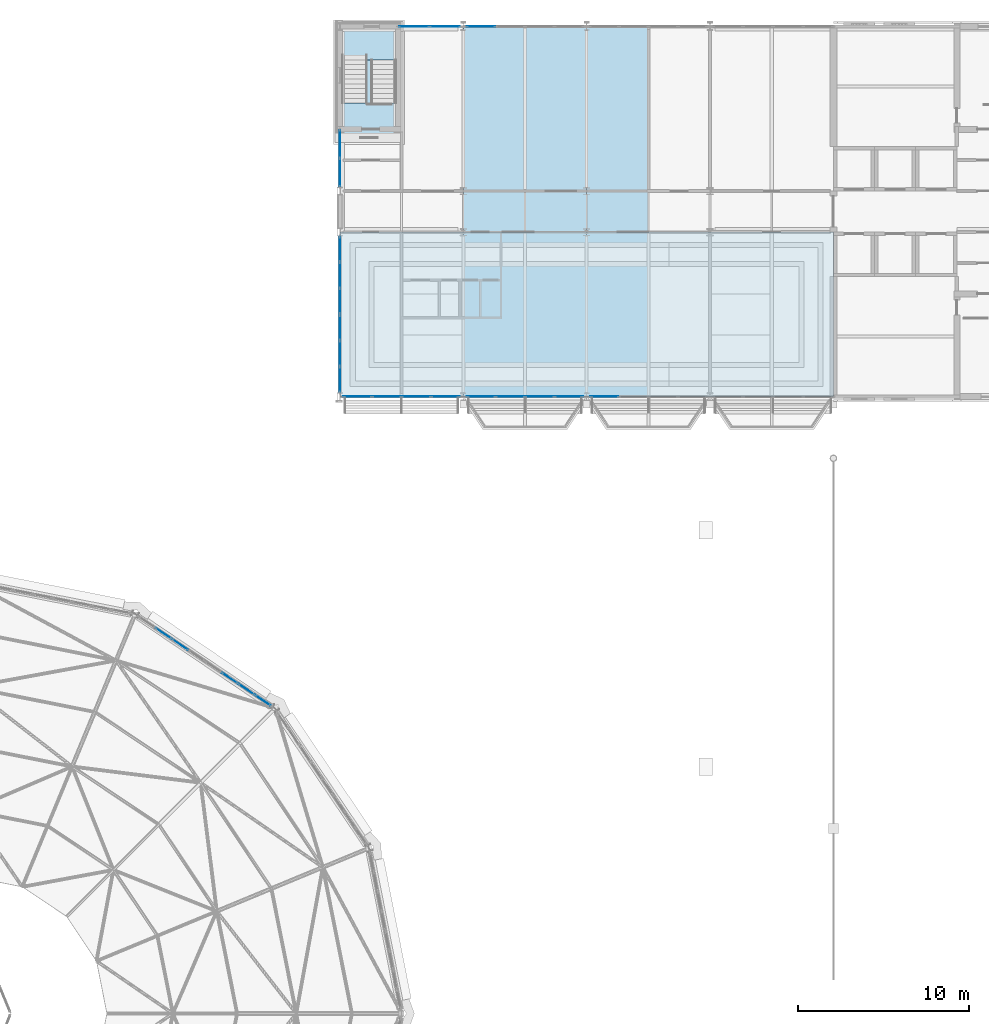
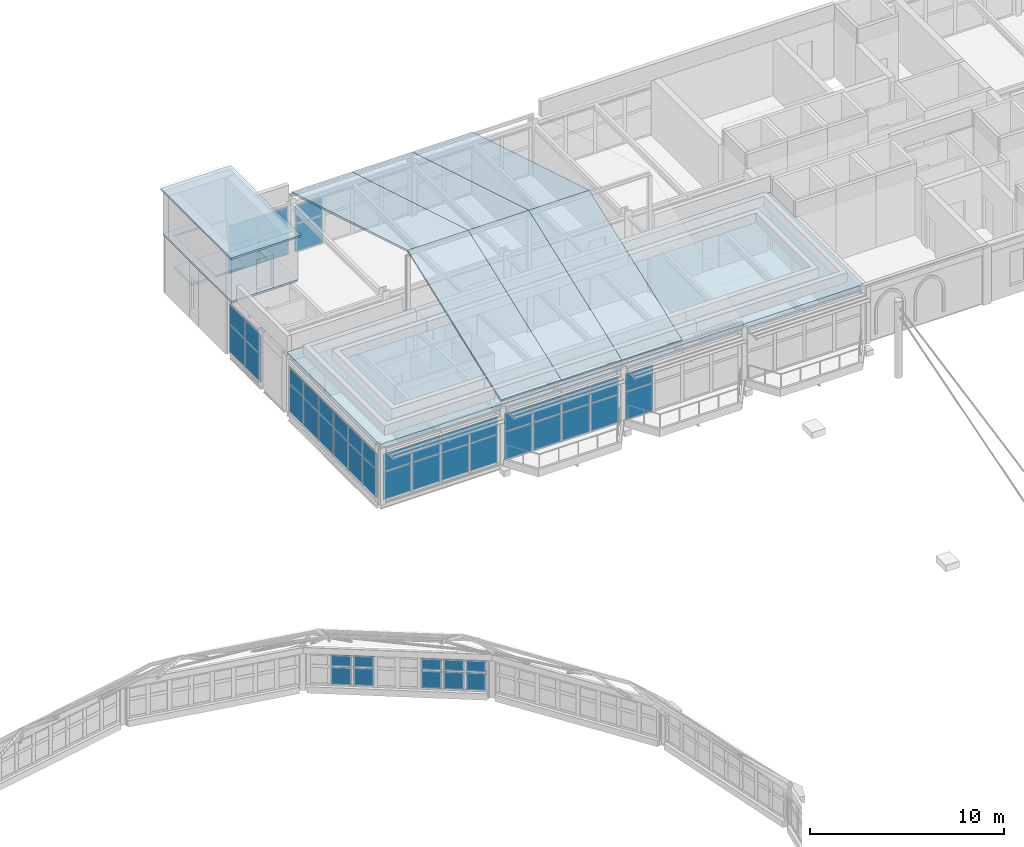
# One storey, part 44 of 68: 50 plates, 10 slabs, 10 elements without a shape of their own.
"""IFC4 building model written with IfcOpenShell, lengths in metres."""

from ifc_helpers import new_model, si_unit, direction, frame, origin, origin_2d, place, context, subcontext, project, spatial, polyline, rectangle, outline, extrude, material, layer, layer_set, type_object, element, aggregate, save


model = new_model("IFC4")

# Units and contexts
model_context = context("Model", 3, precision=1e-05, world=origin(), true_north=direction((0.0, 1.0)))
body_context = subcontext(model_context, "Body", "Model", "MODEL_VIEW")
ifc_project = project(units=[si_unit("LENGTHUNIT", "METRE"), si_unit("AREAUNIT", "SQUARE_METRE"), si_unit("VOLUMEUNIT", "CUBIC_METRE"), si_unit("PLANEANGLEUNIT", "RADIAN"), si_unit("MASSUNIT", "GRAM", prefix="KILO")], contexts=[model_context])

# Site, building, storey
site_placement = place(None, origin())
site = spatial("IfcSite", under=ifc_project, at=site_placement, CompositionType="ELEMENT")
building_placement = place(site_placement, origin())
building = spatial("IfcBuilding", under=site, at=building_placement, Name="Kupolbacken Congress Centre", CompositionType="ELEMENT")
storey_placement = place(building_placement, frame((0.0, 0.0, 25.199951171875)))
storey = spatial("IfcBuildingStorey", under=building, at=storey_placement, Name="L07", CompositionType="ELEMENT", Elevation=25.199951171875)

# Curtain wall, plates
ifc_material_1 = material(Name="Aluminium mullion-transom frame with glass", Category="aluminium")
curtain_wall_type_1 = type_object("IfcCurtainWallType", Name="CW3 curtain wall 9830x3600", PredefinedType="NOTDEFINED", material=ifc_material_1)
curtain_wall_1_placement = place(storey_placement, origin())
curtain_wall_1 = element("IfcCurtainWall", 1, at=curtain_wall_1_placement, inside=storey, type_object=curtain_wall_type_1, Name="E/P/drum/cw/L07/10", PredefinedType="NOTDEFINED")
ifc_material_2 = material(Name="Glass", Category="glass")
ifc_layer_1 = layer(ifc_material_2, 0.028076171875)
ifc_layer_set_1 = layer_set([ifc_layer_1], Name="Glass")
plate_type_1 = type_object("IfcPlateType", Name="GL1 glass panel 28", PredefinedType="CURTAIN_PANEL", material=ifc_layer_set_1)
plate_1_placement = place(storey_placement, frame((60.296875, 104.674560546875, 0.4599609375), z_axis=(0.0, 0.0, 1.0), x_axis=(-0.82890762338, 0.559385512775, 0.0)))
plate_1 = element("IfcPlate", 2, at=plate_1_placement, type_object=plate_type_1, Name="CW3 panel 1.1", PredefinedType="CURTAIN_PANEL", context=body_context, shape_type="SweptSolid", body=[
    extrude(rectangle(XDim=1.076416015625, YDim=0.028076171875, at=origin_2d()), origin(), (0.0, 0.0, 1.0), 1.110107421875),
])
plate_2_placement = place(storey_placement, frame((60.296875, 104.674560546875, 1.6298828125), z_axis=(0.0, 0.0, 1.0), x_axis=(-0.82890762338, 0.559385512775, 0.0)))
plate_2 = element("IfcPlate", 3, at=plate_2_placement, type_object=plate_type_1, Name="CW3 panel 1.2", PredefinedType="CURTAIN_PANEL", context=body_context, shape_type="SweptSolid", body=[
    extrude(rectangle(XDim=1.076416015625, YDim=0.028076171875, at=origin_2d()), origin(), (0.0, 0.0, 1.0), 0.699951171875),
])
plate_3_placement = place(storey_placement, frame((59.34228515625, 105.318603515625, 0.4599609375), z_axis=(0.0, 0.0, 1.0), x_axis=(-0.82890762338, 0.559385512775, 0.0)))
plate_3 = element("IfcPlate", 4, at=plate_3_placement, type_object=plate_type_1, Name="CW3 panel 2.1", PredefinedType="CURTAIN_PANEL", context=body_context, shape_type="SweptSolid", body=[
    extrude(rectangle(XDim=1.1064453125, YDim=0.028076171875, at=origin_2d()), origin(), (0.0, 0.0, 1.0), 1.110107421875),
])
plate_4_placement = place(storey_placement, frame((59.34228515625, 105.318603515625, 1.6298828125), z_axis=(0.0, 0.0, 1.0), x_axis=(-0.82890762338, 0.559385512775, 0.0)))
plate_4 = element("IfcPlate", 5, at=plate_4_placement, type_object=plate_type_1, Name="CW3 panel 2.2", PredefinedType="CURTAIN_PANEL", context=body_context, shape_type="SweptSolid", body=[
    extrude(rectangle(XDim=1.1064453125, YDim=0.028076171875, at=origin_2d()), origin(), (0.0, 0.0, 1.0), 0.699951171875),
])
plate_5_placement = place(storey_placement, frame((58.37548828125, 105.97119140625, 0.4599609375), z_axis=(0.0, 0.0, 1.0), x_axis=(-0.82890762338, 0.559385512775, 0.0)))
plate_5 = element("IfcPlate", 6, at=plate_5_placement, type_object=plate_type_1, Name="CW3 panel 3.1", PredefinedType="CURTAIN_PANEL", context=body_context, shape_type="SweptSolid", body=[
    extrude(rectangle(XDim=1.1064453125, YDim=0.028076171875, at=origin_2d()), origin(), (0.0, 0.0, 1.0), 1.110107421875),
])
plate_6_placement = place(storey_placement, frame((58.37548828125, 105.97119140625, 1.6298828125), z_axis=(0.0, 0.0, 1.0), x_axis=(-0.82890762338, 0.559385512775, 0.0)))
plate_6 = element("IfcPlate", 7, at=plate_6_placement, type_object=plate_type_1, Name="CW3 panel 3.2", PredefinedType="CURTAIN_PANEL", context=body_context, shape_type="SweptSolid", body=[
    extrude(rectangle(XDim=1.1064453125, YDim=0.028076171875, at=origin_2d()), origin(), (0.0, 0.0, 1.0), 0.699951171875),
])
plate_7_placement = place(storey_placement, frame((55.474609375, 107.9287109375, 0.4599609375), z_axis=(0.0, 0.0, 1.0), x_axis=(-0.82890762338, 0.559385512775, 0.0)))
plate_7 = element("IfcPlate", 8, at=plate_7_placement, type_object=plate_type_1, Name="CW3 panel 6.1", PredefinedType="CURTAIN_PANEL", context=body_context, shape_type="SweptSolid", body=[
    extrude(rectangle(XDim=1.1064453125, YDim=0.028076171875, at=origin_2d()), origin(), (0.0, 0.0, 1.0), 1.110107421875),
])
plate_8_placement = place(storey_placement, frame((55.474609375, 107.9287109375, 1.6298828125), z_axis=(0.0, 0.0, 1.0), x_axis=(-0.82890762338, 0.559385512775, 0.0)))
plate_8 = element("IfcPlate", 9, at=plate_8_placement, type_object=plate_type_1, Name="CW3 panel 6.2", PredefinedType="CURTAIN_PANEL", context=body_context, shape_type="SweptSolid", body=[
    extrude(rectangle(XDim=1.1064453125, YDim=0.028076171875, at=origin_2d()), origin(), (0.0, 0.0, 1.0), 0.699951171875),
])
plate_9_placement = place(storey_placement, frame((54.507568359375, 108.581298828125, 0.4599609375), z_axis=(0.0, 0.0, 1.0), x_axis=(-0.82890762338, 0.559385512775, 0.0)))
plate_9 = element("IfcPlate", 10, at=plate_9_placement, type_object=plate_type_1, Name="CW3 panel 7.1", PredefinedType="CURTAIN_PANEL", context=body_context, shape_type="SweptSolid", body=[
    extrude(rectangle(XDim=1.1064453125, YDim=0.028076171875, at=origin_2d()), origin(), (0.0, 0.0, 1.0), 1.110107421875),
])
plate_10_placement = place(storey_placement, frame((54.507568359375, 108.581298828125, 1.6298828125), z_axis=(0.0, 0.0, 1.0), x_axis=(-0.82890762338, 0.559385512775, 0.0)))
plate_10 = element("IfcPlate", 11, at=plate_10_placement, type_object=plate_type_1, Name="CW3 panel 7.2", PredefinedType="CURTAIN_PANEL", context=body_context, shape_type="SweptSolid", body=[
    extrude(rectangle(XDim=1.1064453125, YDim=0.028076171875, at=origin_2d()), origin(), (0.0, 0.0, 1.0), 0.699951171875),
])
aggregate(curtain_wall_1, [plate_1, plate_2, plate_3, plate_4, plate_5, plate_6, plate_7, plate_8, plate_9, plate_10])

ifc_material_3 = material(Name="Aluminium mullion-transom frame with glass", Category="aluminium")
curtain_wall_type_2 = type_object("IfcCurtainWallType", Name="CW1 curtain wall 7200x3600", PredefinedType="NOTDEFINED", material=ifc_material_3)
curtain_wall_2_placement = place(storey_placement, origin())
curtain_wall_2 = element("IfcCurtainWall", 12, at=curtain_wall_2_placement, inside=storey, type_object=curtain_wall_type_2, Name="E/T/N/L07/110/g0", PredefinedType="NOTDEFINED")
ifc_material_4 = material(Name="Glass", Category="glass")
ifc_layer_2 = layer(ifc_material_4, 0.035888671875)
ifc_layer_set_2 = layer_set([ifc_layer_2], Name="Glass")
plate_type_2 = type_object("IfcPlateType", Name="GL2 glass panel 36", PredefinedType="CURTAIN_PANEL", material=ifc_layer_set_2)
plate_11_placement = place(storey_placement, frame((73.027587890625, 144.0, 0.050048828125), z_axis=(0.0, 0.0, 1.0), x_axis=(-1.0, 0.0, 0.0)))
plate_11 = element("IfcPlate", 13, at=plate_11_placement, type_object=plate_type_2, Name="CW1 panel 4.1", PredefinedType="CURTAIN_PANEL", context=body_context, shape_type="SweptSolid", body=[
    extrude(rectangle(XDim=1.648193359375, YDim=0.035888671875, at=origin_2d()), origin(), (0.0, 0.0, 1.0), 1.72509765625),
])
plate_12_placement = place(storey_placement, frame((73.027587890625, 144.0, 1.8251953125), z_axis=(0.0, 0.0, 1.0), x_axis=(-1.0, 0.0, 0.0)))
plate_12 = element("IfcPlate", 14, at=plate_12_placement, type_object=plate_type_2, Name="CW1 panel 4.2", PredefinedType="CURTAIN_PANEL", context=body_context, shape_type="SweptSolid", body=[
    extrude(rectangle(XDim=1.648193359375, YDim=0.035888671875, at=origin_2d()), origin(), (0.0, 0.0, 1.0), 1.114990234375),
])
aggregate(curtain_wall_2, [plate_11, plate_12])

curtain_wall_3_placement = place(storey_placement, origin())
curtain_wall_3 = element("IfcCurtainWall", 15, at=curtain_wall_3_placement, inside=storey, type_object=curtain_wall_type_2, Name="E/T/N/L07/111/g0", PredefinedType="NOTDEFINED")
plate_13_placement = place(storey_placement, frame((70.92236328125, 144.0, 0.050048828125), z_axis=(0.0, 0.0, 1.0), x_axis=(-1.0, 0.0, 0.0)))
plate_13 = element("IfcPlate", 16, at=plate_13_placement, type_object=plate_type_2, Name="CW1 panel 1.1", PredefinedType="CURTAIN_PANEL", context=body_context, shape_type="SweptSolid", body=[
    extrude(rectangle(XDim=1.748291015625, YDim=0.035888671875, at=origin_2d()), origin(), (0.0, 0.0, 1.0), 1.72509765625),
])
plate_14_placement = place(storey_placement, frame((70.92236328125, 144.0, 1.8251953125), z_axis=(0.0, 0.0, 1.0), x_axis=(-1.0, 0.0, 0.0)))
plate_14 = element("IfcPlate", 17, at=plate_14_placement, type_object=plate_type_2, Name="CW1 panel 1.2", PredefinedType="CURTAIN_PANEL", context=body_context, shape_type="SweptSolid", body=[
    extrude(rectangle(XDim=1.748291015625, YDim=0.035888671875, at=origin_2d()), origin(), (0.0, 0.0, 1.0), 1.215087890625),
])
plate_15_placement = place(storey_placement, frame((69.1240234375, 144.0, 0.050048828125), z_axis=(0.0, 0.0, 1.0), x_axis=(-1.0, 0.0, 0.0)))
plate_15 = element("IfcPlate", 18, at=plate_15_placement, type_object=plate_type_2, Name="CW1 panel 2.1", PredefinedType="CURTAIN_PANEL", context=body_context, shape_type="SweptSolid", body=[
    extrude(rectangle(XDim=1.748291015625, YDim=0.035888671875, at=origin_2d()), origin(), (0.0, 0.0, 1.0), 1.72509765625),
])
plate_16_placement = place(storey_placement, frame((69.1240234375, 144.0, 1.8251953125), z_axis=(0.0, 0.0, 1.0), x_axis=(-1.0, 0.0, 0.0)))
plate_16 = element("IfcPlate", 19, at=plate_16_placement, type_object=plate_type_2, Name="CW1 panel 2.2", PredefinedType="CURTAIN_PANEL", context=body_context, shape_type="SweptSolid", body=[
    extrude(rectangle(XDim=1.748291015625, YDim=0.035888671875, at=origin_2d()), origin(), (0.0, 0.0, 1.0), 1.215087890625),
])
aggregate(curtain_wall_3, [plate_13, plate_14, plate_15, plate_16])

curtain_wall_4_placement = place(storey_placement, origin())
curtain_wall_4 = element("IfcCurtainWall", 20, at=curtain_wall_4_placement, inside=storey, type_object=curtain_wall_type_2, Name="E/T/S/L07/112/g0", PredefinedType="NOTDEFINED")
plate_17_placement = place(storey_placement, frame((65.824462890625, 122.39990234375, 0.050048828125), z_axis=(0.0, 0.0, 1.0), x_axis=(1.0, 0.0, 0.0)))
plate_17 = element("IfcPlate", 21, at=plate_17_placement, type_object=plate_type_2, Name="CW1 panel 1.1", PredefinedType="CURTAIN_PANEL", context=body_context, shape_type="SweptSolid", body=[
    extrude(rectangle(XDim=1.649169921875, YDim=0.035888671875, at=origin_2d()), origin(), (0.0, 0.0, 1.0), 1.72509765625),
])
plate_18_placement = place(storey_placement, frame((65.824462890625, 122.39990234375, 1.8251953125), z_axis=(0.0, 0.0, 1.0), x_axis=(1.0, 0.0, 0.0)))
plate_18 = element("IfcPlate", 22, at=plate_18_placement, type_object=plate_type_2, Name="CW1 panel 1.2", PredefinedType="CURTAIN_PANEL", context=body_context, shape_type="SweptSolid", body=[
    extrude(rectangle(XDim=1.649169921875, YDim=0.035888671875, at=origin_2d()), origin(), (0.0, 0.0, 1.0), 1.114990234375),
])
plate_19_placement = place(storey_placement, frame((67.5361328125, 122.39990234375, 0.050048828125), z_axis=(0.0, 0.0, 1.0), x_axis=(1.0, 0.0, 0.0)))
plate_19 = element("IfcPlate", 23, at=plate_19_placement, type_object=plate_type_2, Name="CW1 panel 2.1", PredefinedType="CURTAIN_PANEL", context=body_context, shape_type="SweptSolid", body=[
    extrude(rectangle(XDim=1.674072265625, YDim=0.035888671875, at=origin_2d()), origin(), (0.0, 0.0, 1.0), 1.72509765625),
])
plate_20_placement = place(storey_placement, frame((67.5361328125, 122.39990234375, 1.8251953125), z_axis=(0.0, 0.0, 1.0), x_axis=(1.0, 0.0, 0.0)))
plate_20 = element("IfcPlate", 24, at=plate_20_placement, type_object=plate_type_2, Name="CW1 panel 2.2", PredefinedType="CURTAIN_PANEL", context=body_context, shape_type="SweptSolid", body=[
    extrude(rectangle(XDim=1.674072265625, YDim=0.035888671875, at=origin_2d()), origin(), (0.0, 0.0, 1.0), 1.114990234375),
])
plate_21_placement = place(storey_placement, frame((69.26025390625, 122.39990234375, 0.050048828125), z_axis=(0.0, 0.0, 1.0), x_axis=(1.0, 0.0, 0.0)))
plate_21 = element("IfcPlate", 25, at=plate_21_placement, type_object=plate_type_2, Name="CW1 panel 3.1", PredefinedType="CURTAIN_PANEL", context=body_context, shape_type="SweptSolid", body=[
    extrude(rectangle(XDim=1.674072265625, YDim=0.035888671875, at=origin_2d()), origin(), (0.0, 0.0, 1.0), 1.72509765625),
])
plate_22_placement = place(storey_placement, frame((69.26025390625, 122.39990234375, 1.8251953125), z_axis=(0.0, 0.0, 1.0), x_axis=(1.0, 0.0, 0.0)))
plate_22 = element("IfcPlate", 26, at=plate_22_placement, type_object=plate_type_2, Name="CW1 panel 3.2", PredefinedType="CURTAIN_PANEL", context=body_context, shape_type="SweptSolid", body=[
    extrude(rectangle(XDim=1.674072265625, YDim=0.035888671875, at=origin_2d()), origin(), (0.0, 0.0, 1.0), 1.114990234375),
])
plate_23_placement = place(storey_placement, frame((70.971923828125, 122.39990234375, 0.050048828125), z_axis=(0.0, 0.0, 1.0), x_axis=(1.0, 0.0, 0.0)))
plate_23 = element("IfcPlate", 27, at=plate_23_placement, type_object=plate_type_2, Name="CW1 panel 4.1", PredefinedType="CURTAIN_PANEL", context=body_context, shape_type="SweptSolid", body=[
    extrude(rectangle(XDim=1.649169921875, YDim=0.035888671875, at=origin_2d()), origin(), (0.0, 0.0, 1.0), 1.72509765625),
])
plate_24_placement = place(storey_placement, frame((70.971923828125, 122.39990234375, 1.8251953125), z_axis=(0.0, 0.0, 1.0), x_axis=(1.0, 0.0, 0.0)))
plate_24 = element("IfcPlate", 28, at=plate_24_placement, type_object=plate_type_2, Name="CW1 panel 4.2", PredefinedType="CURTAIN_PANEL", context=body_context, shape_type="SweptSolid", body=[
    extrude(rectangle(XDim=1.649169921875, YDim=0.035888671875, at=origin_2d()), origin(), (0.0, 0.0, 1.0), 1.114990234375),
])
aggregate(curtain_wall_4, [plate_17, plate_18, plate_19, plate_20, plate_21, plate_22, plate_23, plate_24])

curtain_wall_5_placement = place(storey_placement, origin())
curtain_wall_5 = element("IfcCurtainWall", 29, at=curtain_wall_5_placement, inside=storey, type_object=curtain_wall_type_2, Name="E/T/S/L07/113/g0", PredefinedType="NOTDEFINED")
plate_25_placement = place(storey_placement, frame((73.027587890625, 122.39990234375, 0.050048828125), z_axis=(0.0, 0.0, 1.0), x_axis=(1.0, 0.0, 0.0)))
plate_25 = element("IfcPlate", 30, at=plate_25_placement, type_object=plate_type_2, Name="CW1 panel 1.1", PredefinedType="CURTAIN_PANEL", context=body_context, shape_type="SweptSolid", body=[
    extrude(rectangle(XDim=1.648193359375, YDim=0.035888671875, at=origin_2d()), origin(), (0.0, 0.0, 1.0), 1.72509765625),
])
plate_26_placement = place(storey_placement, frame((73.027587890625, 122.39990234375, 1.8251953125), z_axis=(0.0, 0.0, 1.0), x_axis=(1.0, 0.0, 0.0)))
plate_26 = element("IfcPlate", 31, at=plate_26_placement, type_object=plate_type_2, Name="CW1 panel 1.2", PredefinedType="CURTAIN_PANEL", context=body_context, shape_type="SweptSolid", body=[
    extrude(rectangle(XDim=1.648193359375, YDim=0.035888671875, at=origin_2d()), origin(), (0.0, 0.0, 1.0), 1.114990234375),
])
plate_27_placement = place(storey_placement, frame((74.73828125, 122.39990234375, 0.050048828125), z_axis=(0.0, 0.0, 1.0), x_axis=(1.0, 0.0, 0.0)))
plate_27 = element("IfcPlate", 32, at=plate_27_placement, type_object=plate_type_2, Name="CW1 panel 2.1", PredefinedType="CURTAIN_PANEL", context=body_context, shape_type="SweptSolid", body=[
    extrude(rectangle(XDim=1.67333984375, YDim=0.035888671875, at=origin_2d()), origin(), (0.0, 0.0, 1.0), 1.72509765625),
])
plate_28_placement = place(storey_placement, frame((74.73828125, 122.39990234375, 1.8251953125), z_axis=(0.0, 0.0, 1.0), x_axis=(1.0, 0.0, 0.0)))
plate_28 = element("IfcPlate", 33, at=plate_28_placement, type_object=plate_type_2, Name="CW1 panel 2.2", PredefinedType="CURTAIN_PANEL", context=body_context, shape_type="SweptSolid", body=[
    extrude(rectangle(XDim=1.67333984375, YDim=0.035888671875, at=origin_2d()), origin(), (0.0, 0.0, 1.0), 1.114990234375),
])
plate_29_placement = place(storey_placement, frame((76.461669921875, 122.39990234375, 0.050048828125), z_axis=(0.0, 0.0, 1.0), x_axis=(1.0, 0.0, 0.0)))
plate_29 = element("IfcPlate", 34, at=plate_29_placement, type_object=plate_type_2, Name="CW1 panel 3.1", PredefinedType="CURTAIN_PANEL", context=body_context, shape_type="SweptSolid", body=[
    extrude(rectangle(XDim=1.67333984375, YDim=0.035888671875, at=origin_2d()), origin(), (0.0, 0.0, 1.0), 1.72509765625),
])
plate_30_placement = place(storey_placement, frame((76.461669921875, 122.39990234375, 1.8251953125), z_axis=(0.0, 0.0, 1.0), x_axis=(1.0, 0.0, 0.0)))
plate_30 = element("IfcPlate", 35, at=plate_30_placement, type_object=plate_type_2, Name="CW1 panel 3.2", PredefinedType="CURTAIN_PANEL", context=body_context, shape_type="SweptSolid", body=[
    extrude(rectangle(XDim=1.67333984375, YDim=0.035888671875, at=origin_2d()), origin(), (0.0, 0.0, 1.0), 1.114990234375),
])
plate_31_placement = place(storey_placement, frame((78.17236328125, 122.39990234375, 0.050048828125), z_axis=(0.0, 0.0, 1.0), x_axis=(1.0, 0.0, 0.0)))
plate_31 = element("IfcPlate", 36, at=plate_31_placement, type_object=plate_type_2, Name="CW1 panel 4.1", PredefinedType="CURTAIN_PANEL", context=body_context, shape_type="SweptSolid", body=[
    extrude(rectangle(XDim=1.648193359375, YDim=0.035888671875, at=origin_2d()), origin(), (0.0, 0.0, 1.0), 1.72509765625),
])
plate_32_placement = place(storey_placement, frame((78.17236328125, 122.39990234375, 1.8251953125), z_axis=(0.0, 0.0, 1.0), x_axis=(1.0, 0.0, 0.0)))
plate_32 = element("IfcPlate", 37, at=plate_32_placement, type_object=plate_type_2, Name="CW1 panel 4.2", PredefinedType="CURTAIN_PANEL", context=body_context, shape_type="SweptSolid", body=[
    extrude(rectangle(XDim=1.648193359375, YDim=0.035888671875, at=origin_2d()), origin(), (0.0, 0.0, 1.0), 1.114990234375),
])
aggregate(curtain_wall_5, [plate_25, plate_26, plate_27, plate_28, plate_29, plate_30, plate_31, plate_32])

curtain_wall_6_placement = place(storey_placement, origin())
curtain_wall_6 = element("IfcCurtainWall", 38, at=curtain_wall_6_placement, inside=storey, type_object=curtain_wall_type_2, Name="E/T/S/L07/114/g0", PredefinedType="NOTDEFINED")
plate_33_placement = place(storey_placement, frame((80.2275390625, 122.39990234375, 0.050048828125), z_axis=(0.0, 0.0, 1.0), x_axis=(1.0, 0.0, 0.0)))
plate_33 = element("IfcPlate", 39, at=plate_33_placement, type_object=plate_type_2, Name="CW1 panel 1.1", PredefinedType="CURTAIN_PANEL", context=body_context, shape_type="SweptSolid", body=[
    extrude(rectangle(XDim=1.648193359375, YDim=0.035888671875, at=origin_2d()), origin(), (0.0, 0.0, 1.0), 1.72509765625),
])
plate_34_placement = place(storey_placement, frame((80.2275390625, 122.39990234375, 1.8251953125), z_axis=(0.0, 0.0, 1.0), x_axis=(1.0, 0.0, 0.0)))
plate_34 = element("IfcPlate", 40, at=plate_34_placement, type_object=plate_type_2, Name="CW1 panel 1.2", PredefinedType="CURTAIN_PANEL", context=body_context, shape_type="SweptSolid", body=[
    extrude(rectangle(XDim=1.648193359375, YDim=0.035888671875, at=origin_2d()), origin(), (0.0, 0.0, 1.0), 1.114990234375),
])
aggregate(curtain_wall_6, [plate_33, plate_34])

curtain_wall_7_placement = place(storey_placement, origin())
curtain_wall_7 = element("IfcCurtainWall", 41, at=curtain_wall_7_placement, inside=storey, type_object=curtain_wall_type_2, Name="E/T/W/L07/121/g0", PredefinedType="NOTDEFINED")
plate_35_placement = place(storey_placement, frame((64.800048828125, 137.143798828125, 0.050048828125), z_axis=(0.0, 0.0, 1.0), x_axis=(0.0, -1.0, 0.0)))
plate_35 = element("IfcPlate", 42, at=plate_35_placement, type_object=plate_type_2, Name="CW1 panel 1.1", PredefinedType="CURTAIN_PANEL", context=body_context, shape_type="SweptSolid", body=[
    extrude(rectangle(XDim=1.612548828125, YDim=0.035888671875, at=origin_2d()), origin(), (0.0, 0.0, 1.0), 1.72509765625),
])
plate_36_placement = place(storey_placement, frame((64.800048828125, 137.143798828125, 1.8251953125), z_axis=(0.0, 0.0, 1.0), x_axis=(0.0, -1.0, 0.0)))
plate_36 = element("IfcPlate", 43, at=plate_36_placement, type_object=plate_type_2, Name="CW1 panel 1.2", PredefinedType="CURTAIN_PANEL", context=body_context, shape_type="SweptSolid", body=[
    extrude(rectangle(XDim=1.612548828125, YDim=0.035888671875, at=origin_2d()), origin(), (0.0, 0.0, 1.0), 1.215087890625),
])
plate_37_placement = place(storey_placement, frame((64.800048828125, 135.481201171875, 0.050048828125), z_axis=(0.0, 0.0, 1.0), x_axis=(0.0, -1.0, 0.0)))
plate_37 = element("IfcPlate", 44, at=plate_37_placement, type_object=plate_type_2, Name="CW1 panel 2.1", PredefinedType="CURTAIN_PANEL", context=body_context, shape_type="SweptSolid", body=[
    extrude(rectangle(XDim=1.612548828125, YDim=0.035888671875, at=origin_2d()), origin(), (0.0, 0.0, 1.0), 1.72509765625),
])
plate_38_placement = place(storey_placement, frame((64.800048828125, 135.481201171875, 1.8251953125), z_axis=(0.0, 0.0, 1.0), x_axis=(0.0, -1.0, 0.0)))
plate_38 = element("IfcPlate", 45, at=plate_38_placement, type_object=plate_type_2, Name="CW1 panel 2.2", PredefinedType="CURTAIN_PANEL", context=body_context, shape_type="SweptSolid", body=[
    extrude(rectangle(XDim=1.612548828125, YDim=0.035888671875, at=origin_2d()), origin(), (0.0, 0.0, 1.0), 1.215087890625),
])
aggregate(curtain_wall_7, [plate_35, plate_36, plate_37, plate_38])

curtain_wall_8_placement = place(storey_placement, origin())
curtain_wall_8 = element("IfcCurtainWall", 46, at=curtain_wall_8_placement, inside=storey, type_object=curtain_wall_type_2, Name="E/T/W/L07/123/g0", PredefinedType="NOTDEFINED")
plate_39_placement = place(storey_placement, frame((64.800048828125, 131.0, 0.050048828125), z_axis=(0.0, 0.0, 1.0), x_axis=(0.0, -1.0, 0.0)))
plate_39 = element("IfcPlate", 47, at=plate_39_placement, type_object=plate_type_2, Name="CW1 panel 1.1", PredefinedType="CURTAIN_PANEL", context=body_context, shape_type="SweptSolid", body=[
    extrude(rectangle(XDim=1.449951171875, YDim=0.035888671875, at=origin_2d()), origin(), (0.0, 0.0, 1.0), 1.72509765625),
])
plate_40_placement = place(storey_placement, frame((64.800048828125, 131.0, 1.8251953125), z_axis=(0.0, 0.0, 1.0), x_axis=(0.0, -1.0, 0.0)))
plate_40 = element("IfcPlate", 48, at=plate_40_placement, type_object=plate_type_2, Name="CW1 panel 1.2", PredefinedType="CURTAIN_PANEL", context=body_context, shape_type="SweptSolid", body=[
    extrude(rectangle(XDim=1.449951171875, YDim=0.035888671875, at=origin_2d()), origin(), (0.0, 0.0, 1.0), 1.014892578125),
])
plate_41_placement = place(storey_placement, frame((64.800048828125, 129.487548828125, 0.050048828125), z_axis=(0.0, 0.0, 1.0), x_axis=(0.0, -1.0, 0.0)))
plate_41 = element("IfcPlate", 49, at=plate_41_placement, type_object=plate_type_2, Name="CW1 panel 2.1", PredefinedType="CURTAIN_PANEL", context=body_context, shape_type="SweptSolid", body=[
    extrude(rectangle(XDim=1.47509765625, YDim=0.035888671875, at=origin_2d()), origin(), (0.0, 0.0, 1.0), 1.72509765625),
])
plate_42_placement = place(storey_placement, frame((64.800048828125, 129.487548828125, 1.8251953125), z_axis=(0.0, 0.0, 1.0), x_axis=(0.0, -1.0, 0.0)))
plate_42 = element("IfcPlate", 50, at=plate_42_placement, type_object=plate_type_2, Name="CW1 panel 2.2", PredefinedType="CURTAIN_PANEL", context=body_context, shape_type="SweptSolid", body=[
    extrude(rectangle(XDim=1.47509765625, YDim=0.035888671875, at=origin_2d()), origin(), (0.0, 0.0, 1.0), 1.014892578125),
])
plate_43_placement = place(storey_placement, frame((64.800048828125, 127.97509765625, 0.050048828125), z_axis=(0.0, 0.0, 1.0), x_axis=(0.0, -1.0, 0.0)))
plate_43 = element("IfcPlate", 51, at=plate_43_placement, type_object=plate_type_2, Name="CW1 panel 3.1", PredefinedType="CURTAIN_PANEL", context=body_context, shape_type="SweptSolid", body=[
    extrude(rectangle(XDim=1.449951171875, YDim=0.035888671875, at=origin_2d()), origin(), (0.0, 0.0, 1.0), 1.72509765625),
])
plate_44_placement = place(storey_placement, frame((64.800048828125, 127.97509765625, 1.8251953125), z_axis=(0.0, 0.0, 1.0), x_axis=(0.0, -1.0, 0.0)))
plate_44 = element("IfcPlate", 52, at=plate_44_placement, type_object=plate_type_2, Name="CW1 panel 3.2", PredefinedType="CURTAIN_PANEL", context=body_context, shape_type="SweptSolid", body=[
    extrude(rectangle(XDim=1.449951171875, YDim=0.035888671875, at=origin_2d()), origin(), (0.0, 0.0, 1.0), 1.014892578125),
])
aggregate(curtain_wall_8, [plate_39, plate_40, plate_41, plate_42, plate_43, plate_44])

curtain_wall_9_placement = place(storey_placement, origin())
curtain_wall_9 = element("IfcCurtainWall", 53, at=curtain_wall_9_placement, inside=storey, type_object=curtain_wall_type_2, Name="E/T/W/L07/123/g1", PredefinedType="NOTDEFINED")
plate_45_placement = place(storey_placement, frame((64.800048828125, 126.425048828125, 0.050048828125), z_axis=(0.0, 0.0, 1.0), x_axis=(0.0, -1.0, 0.0)))
plate_45 = element("IfcPlate", 54, at=plate_45_placement, type_object=plate_type_2, Name="CW1 panel 1.1", PredefinedType="CURTAIN_PANEL", context=body_context, shape_type="SweptSolid", body=[
    extrude(rectangle(XDim=1.449951171875, YDim=0.035888671875, at=origin_2d()), origin(), (0.0, 0.0, 1.0), 1.72509765625),
])
plate_46_placement = place(storey_placement, frame((64.800048828125, 126.425048828125, 1.8251953125), z_axis=(0.0, 0.0, 1.0), x_axis=(0.0, -1.0, 0.0)))
plate_46 = element("IfcPlate", 55, at=plate_46_placement, type_object=plate_type_2, Name="CW1 panel 1.2", PredefinedType="CURTAIN_PANEL", context=body_context, shape_type="SweptSolid", body=[
    extrude(rectangle(XDim=1.449951171875, YDim=0.035888671875, at=origin_2d()), origin(), (0.0, 0.0, 1.0), 1.014892578125),
])
plate_47_placement = place(storey_placement, frame((64.800048828125, 124.91259765625, 0.050048828125), z_axis=(0.0, 0.0, 1.0), x_axis=(0.0, -1.0, 0.0)))
plate_47 = element("IfcPlate", 56, at=plate_47_placement, type_object=plate_type_2, Name="CW1 panel 2.1", PredefinedType="CURTAIN_PANEL", context=body_context, shape_type="SweptSolid", body=[
    extrude(rectangle(XDim=1.47509765625, YDim=0.035888671875, at=origin_2d()), origin(), (0.0, 0.0, 1.0), 1.72509765625),
])
plate_48_placement = place(storey_placement, frame((64.800048828125, 124.91259765625, 1.8251953125), z_axis=(0.0, 0.0, 1.0), x_axis=(0.0, -1.0, 0.0)))
plate_48 = element("IfcPlate", 57, at=plate_48_placement, type_object=plate_type_2, Name="CW1 panel 2.2", PredefinedType="CURTAIN_PANEL", context=body_context, shape_type="SweptSolid", body=[
    extrude(rectangle(XDim=1.47509765625, YDim=0.035888671875, at=origin_2d()), origin(), (0.0, 0.0, 1.0), 1.014892578125),
])
plate_49_placement = place(storey_placement, frame((64.800048828125, 123.39990234375, 0.050048828125), z_axis=(0.0, 0.0, 1.0), x_axis=(0.0, -1.0, 0.0)))
plate_49 = element("IfcPlate", 58, at=plate_49_placement, type_object=plate_type_2, Name="CW1 panel 3.1", PredefinedType="CURTAIN_PANEL", context=body_context, shape_type="SweptSolid", body=[
    extrude(rectangle(XDim=1.449951171875, YDim=0.035888671875, at=origin_2d()), origin(), (0.0, 0.0, 1.0), 1.72509765625),
])
plate_50_placement = place(storey_placement, frame((64.800048828125, 123.39990234375, 1.8251953125), z_axis=(0.0, 0.0, 1.0), x_axis=(0.0, -1.0, 0.0)))
plate_50 = element("IfcPlate", 59, at=plate_50_placement, type_object=plate_type_2, Name="CW1 panel 3.2", PredefinedType="CURTAIN_PANEL", context=body_context, shape_type="SweptSolid", body=[
    extrude(rectangle(XDim=1.449951171875, YDim=0.035888671875, at=origin_2d()), origin(), (0.0, 0.0, 1.0), 1.014892578125),
])
aggregate(curtain_wall_9, [plate_45, plate_46, plate_47, plate_48, plate_49, plate_50])

# Slabs
ifc_material_5 = material(Name="Concrete C30/37", Category="concrete")
ifc_layer_3 = layer(ifc_material_5, 0.080078125)
ifc_material_6 = material(Name="Steel S350 profiled deck", Category="steel")
ifc_layer_4 = layer(ifc_material_6, 0.06005859375)
ifc_material_7 = material(Name="Mineral wool", Category="insulation")
ifc_layer_5 = layer(ifc_material_7, 0.080078125)
ifc_material_8 = material(Name="Roofing membrane", Category="membrane")
ifc_layer_6 = layer(ifc_material_8, 0.010009765625)
ifc_material_9 = material(Name="Green roof substrate", Category="soil")
ifc_layer_7 = layer(ifc_material_9, 0.080078125)
ifc_layer_set_3 = layer_set([ifc_layer_3, ifc_layer_4, ifc_layer_5, ifc_layer_6, ifc_layer_7], Name="Concrete C30/37 / Steel S350 profiled deck / Mineral wool / Roofing membrane / Green roof substrate")
slab_type_1 = type_object("IfcSlabType", Name="RS4 slab 310", PredefinedType="ROOF", material=ifc_layer_set_3)
slab_1_placement = place(storey_placement, frame((0.0, 0.0, 3.2900390625)))
element("IfcSlab", 60, at=slab_1_placement, inside=storey, type_object=slab_type_1, Name="S/floor/T/ROOF/slab/p2/slab", PredefinedType="ROOF", context=body_context, shape_type="SweptSolid", body=[
    extrude(outline(polyline([(93.599609375, 122.400390625), (93.599609375, 131.99951171875), (64.800537109375, 131.99951171875), (64.800537109375, 122.400390625), (93.599609375, 122.400390625)])), origin(), (0.0, 0.0, 1.0), 0.31005859375),
])
ifc_layer_8 = layer(ifc_material_5, 0.06005859375)
ifc_layer_9 = layer(ifc_material_6, 0.06005859375)
ifc_layer_set_4 = layer_set([ifc_layer_8, ifc_layer_9], Name="Concrete C30/37 / Steel S350 profiled deck")
slab_type_2 = type_object("IfcSlabType", Name="RS7 slab 120", PredefinedType="ROOF", material=ifc_layer_set_4)
slab_2_placement = place(storey_placement, frame((0.0, 0.0, 3.60009765625)))
element("IfcSlab", 61, at=slab_2_placement, inside=storey, type_object=slab_type_2, Name="Stair head-house kerb TS3", PredefinedType="ROOF", context=body_context, shape_type="SweptSolid", body=[
    extrude(outline(polyline([(68.47998046875, 137.219970703125), (65.06005859375, 137.219970703125), (64.800048828125, 137.219970703125), (64.52001953125, 137.219970703125), (64.52001953125, 144.280029296875), (68.47998046875, 144.280029296875), (68.47998046875, 144.0), (68.47998046875, 143.739990234375), (68.47998046875, 137.219970703125)]), holes=[polyline([(68.050048828125, 139.534912109375), (68.050048828125, 143.85009765625), (64.949951171875, 143.85009765625), (64.949951171875, 139.534912109375), (68.050048828125, 139.534912109375)])]), origin(), (0.0, 0.0, 1.0), 0.119873046875),
])
slab_3_placement = place(storey_placement, frame((0.0, 0.0, 6.420166015625)))
element("IfcSlab", 62, at=slab_3_placement, inside=storey, type_object=slab_type_2, Name="Stair head-house roof TS3", PredefinedType="ROOF", context=body_context, shape_type="SweptSolid", body=[
    extrude(outline(polyline([(64.419921875, 137.1201171875), (68.580078125, 137.1201171875), (68.580078125, 144.3798828125), (64.419921875, 144.3798828125), (64.419921875, 137.1201171875)])), origin(), (0.0, 0.0, 1.0), 0.119873046875),
])
ifc_material_10 = material(Name="Standing-seam zinc roofing", Category="metal")
ifc_layer_10 = layer(ifc_material_10, 0.02001953125)
ifc_layer_11 = layer(ifc_material_7, 0.10009765625)
ifc_layer_set_5 = layer_set([ifc_layer_10, ifc_layer_11], Name="Standing-seam zinc roofing / Mineral wool")
slab_type_3 = type_object("IfcSlabType", Name="RS8 gabled roof panel 120", PredefinedType="ROOF", material=ifc_layer_set_5)
slab_4_placement = place(storey_placement, frame((72.0, 122.39990234375, 3.900146484375), z_axis=(0.0, -0.351107784341, 0.936335048888), x_axis=(1.0, 0.0, 0.0)))
element("IfcSlab", 63, at=slab_4_placement, inside=storey, type_object=slab_type_3, Name="E/T/roof/R1/p10", PredefinedType="ROOF", context=body_context, shape_type="SweptSolid", body=[
    extrude(outline(polyline([(0.0, 0.0), (3.60009765625, 0.0), (3.60009765625, 10.252844500112852), (0.0, 10.252844500112852), (0.0, 0.0)])), origin(), (0.0, 0.0, -1.0), 0.1201171875),
])
slab_5_placement = place(storey_placement, frame((72.0, 144.0, 3.900146484375), z_axis=(0.0, 0.287337158709, 0.957829503213), x_axis=(1.0, 0.0, 0.0)))
element("IfcSlab", 64, at=slab_5_placement, inside=storey, type_object=slab_type_3, Name="E/T/roof/R1/p20", PredefinedType="ROOF", context=body_context, shape_type="SweptSolid", body=[
    extrude(outline(polyline([(0.0, 0.0), (3.60009765625, 0.0), (3.60009765625, -12.528325719502893), (0.0, -12.528325719502893), (0.0, 0.0)])), origin(), (0.0, 0.0, -1.0), 0.1201171875),
])
slab_6_placement = place(storey_placement, frame((75.60009765625, 122.39990234375, 3.900146484375), z_axis=(0.0, -0.351107784341, 0.936335048888), x_axis=(1.0, 0.0, 0.0)))
element("IfcSlab", 65, at=slab_6_placement, inside=storey, type_object=slab_type_3, Name="E/T/roof/R1/p11", PredefinedType="ROOF", context=body_context, shape_type="SweptSolid", body=[
    extrude(outline(polyline([(0.0, 0.0), (3.599853515625, 0.0), (3.599853515625, 10.252844500112854), (0.0, 10.252844500112854), (0.0, 0.0)])), origin(), (0.0, 0.0, -1.0), 0.1201171875),
])
slab_7_placement = place(storey_placement, frame((75.60009765625, 144.0, 3.900146484375), z_axis=(0.0, 0.287337158709, 0.957829503213), x_axis=(1.0, 0.0, 0.0)))
element("IfcSlab", 66, at=slab_7_placement, inside=storey, type_object=slab_type_3, Name="E/T/roof/R1/p21", PredefinedType="ROOF", context=body_context, shape_type="SweptSolid", body=[
    extrude(outline(polyline([(0.0, 0.0), (3.599853515625, 0.0), (3.599853515625, -12.528325719502893), (0.0, -12.528325719502893), (0.0, 0.0)])), origin(), (0.0, 0.0, -1.0), 0.1201171875),
])
slab_8_placement = place(storey_placement, frame((79.199951171875, 122.39990234375, 3.900146484375), z_axis=(0.0, -0.351107784341, 0.936335048888), x_axis=(1.0, 0.0, 0.0)))
element("IfcSlab", 67, at=slab_8_placement, inside=storey, type_object=slab_type_3, Name="E/T/roof/R1/p12", PredefinedType="ROOF", context=body_context, shape_type="SweptSolid", body=[
    extrude(outline(polyline([(0.0, 0.0), (3.60009765625, 0.0), (3.60009765625, 10.252844500112852), (0.0, 10.252844500112852), (0.0, 0.0)])), origin(), (0.0, 0.0, -1.0), 0.1201171875),
])
slab_9_placement = place(storey_placement, frame((79.199951171875, 144.0, 3.900146484375), z_axis=(0.0, 0.287337158709, 0.957829503213), x_axis=(1.0, 0.0, 0.0)))
element("IfcSlab", 68, at=slab_9_placement, inside=storey, type_object=slab_type_3, Name="E/T/roof/R1/p22", PredefinedType="ROOF", context=body_context, shape_type="SweptSolid", body=[
    extrude(outline(polyline([(0.0, 0.0), (3.60009765625, 0.0), (3.60009765625, -12.528325719502893), (0.0, -12.528325719502893), (0.0, 0.0)])), origin(), (0.0, 0.0, -1.0), 0.1201171875),
])

# Stair, slab
ifc_material_11 = material(Name="Steel S355", Category="steel")
stair_type = type_object("IfcStairType", Name="ST2 stair 1500", PredefinedType="TWO_STRAIGHT_RUN_STAIR", material=ifc_material_11)
stair_placement = place(storey_placement, origin())
stair = element("IfcStair", 69, at=stair_placement, inside=storey, type_object=stair_type, Name="C/stair/TS3/L07", PredefinedType="NOTDEFINED")
ifc_material_12 = material(Name="Concrete C30/37 precast", Category="concrete")
ifc_layer_12 = layer(ifc_material_12, 0.175048828125)
ifc_layer_set_6 = layer_set([ifc_layer_12], Name="Concrete C30/37 precast")
slab_type_4 = type_object("IfcSlabType", Name="SL1 slab 175", PredefinedType="LANDING", material=ifc_layer_set_6)
slab_10_placement = place(storey_placement, frame((0.0, 0.0, 1.596435546875)))
slab_10 = element("IfcSlab", 70, at=slab_10_placement, type_object=slab_type_4, Name="TS3 landing 1", PredefinedType="LANDING", context=body_context, shape_type="SweptSolid", body=[
    extrude(outline(polyline([(64.929931640625, 142.044921875), (68.070068359375, 142.044921875), (68.070068359375, 143.8701171875), (64.929931640625, 143.8701171875), (64.929931640625, 142.044921875)])), origin(), (0.0, 0.0, 1.0), 0.175048828125),
])
aggregate(stair, [slab_10])

save(model, "model.ifc")
